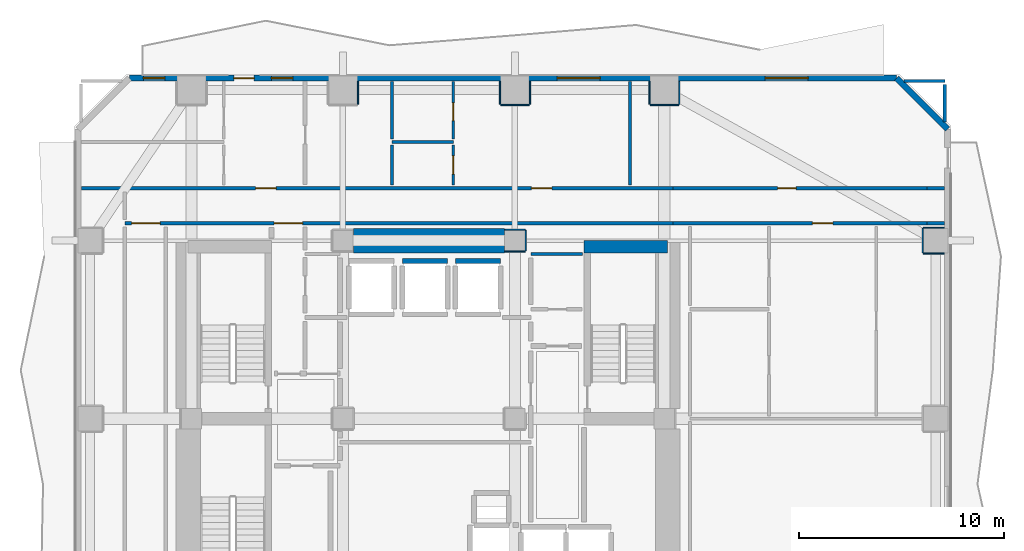
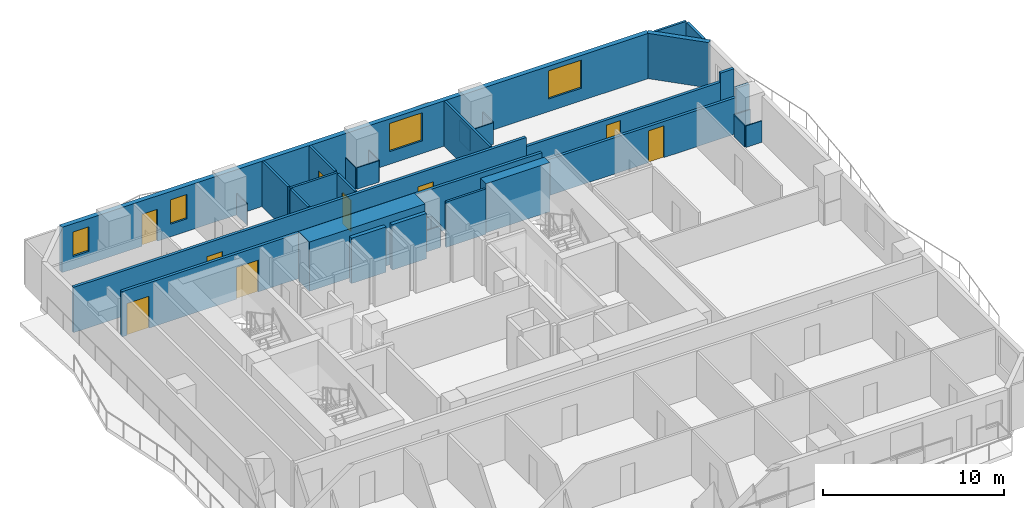
# One storey, part 6 of 10: 34 walls, 9 doors, 4 windows, 13 openings.
"""IFC4 building model written with IfcOpenShell, lengths in metres."""

from ifc_helpers import new_model, si_unit, direction, frame, frame_2d, origin, place, context, subcontext, project, spatial, rectangle, extrude, material, layer, layer_set, type_object, element, fill, save


model = new_model("IFC4")

# Units and contexts
model_context = context("Model", 3, precision=1e-05, world=origin(), true_north=direction((0.0, 1.0)))
body_context = subcontext(model_context, "Body", "Model", "MODEL_VIEW")
ifc_project = project(units=[si_unit("LENGTHUNIT", "METRE"), si_unit("AREAUNIT", "SQUARE_METRE"), si_unit("VOLUMEUNIT", "CUBIC_METRE"), si_unit("PLANEANGLEUNIT", "RADIAN"), si_unit("MASSUNIT", "GRAM", prefix="KILO")], contexts=[model_context])

# Site, building, storey
site_placement = place(None, origin())
site = spatial("IfcSite", under=ifc_project, at=site_placement, CompositionType="ELEMENT")
building_placement = place(site_placement, origin())
building = spatial("IfcBuilding", under=site, at=building_placement, Name="Solanera Arch Residences", CompositionType="ELEMENT")
storey_placement = place(building_placement, frame((0.0, 0.0, 51.8798828125)))
storey = spatial("IfcBuildingStorey", under=building, at=storey_placement, Name="L14", CompositionType="ELEMENT", Elevation=51.8798828125)

# Walls
ifc_material_1 = material(Name="Fire-Rated Gypsum Stud Partition", Category="gypsum")
ifc_layer_1 = layer(ifc_material_1, 0.06005859375)
ifc_layer_set_1 = layer_set([ifc_layer_1], Name="Fire-Rated Gypsum Stud Partition")
wall_type_1 = type_object("IfcWallType", Name="Column Acoustic Furring Wall 60", PredefinedType="PARTITIONING", material=ifc_layer_set_1)
for number, where, z_axis, x_axis, name in (
    (1, (28.7099609375, 38.867919921875, 0.0), (0.0, 0.0, 1.0), (1.0, 0.0, 0.0), "L14 Column Furring 4S"),
    (2, (28.7099609375, 39.931884765625, 0.0), (0.0, 0.0, 1.0), (1.0, 0.0, 0.0), "L14 Column Furring 4N"),
):
    element("IfcWall", number, at=place(storey_placement, frame(where, z_axis=z_axis, x_axis=x_axis)), inside=storey, type_object=wall_type_1, Name=name, PredefinedType="PARTITIONING", context=body_context, shape_type="SweptSolid", body=[
        extrude(rectangle(XDim=0.989990234375, YDim=0.06005859375, at=frame_2d((0.4951171875, 0.0))), origin(), (0.0, 0.0, 1.0), 1.4501953125),
    ])
wall_1_placement = place(storey_placement, frame((29.73193359375, 38.89990234375, 0.0), z_axis=(0.0, 0.0, 1.0), x_axis=(0.0, 1.0, 0.0)))
element("IfcWall", 3, at=wall_1_placement, inside=storey, type_object=wall_type_1, Name="L14 Column Furring 4E", PredefinedType="PARTITIONING", context=body_context, shape_type="SweptSolid", body=[
    extrude(rectangle(XDim=1.0, YDim=0.06005859375, at=frame_2d((0.5, 0.0))), origin(), (0.0, 0.0, 1.0), 1.4501953125),
])
wall_2_placement = place(storey_placement, frame((21.531982421875, 46.050048828125, 0.0), z_axis=(0.0, 0.0, 1.0), x_axis=(0.0, 1.0, 0.0)))
element("IfcWall", 4, at=wall_2_placement, inside=storey, type_object=wall_type_1, Name="L14 Column Furring 12E", PredefinedType="PARTITIONING", context=body_context, shape_type="SweptSolid", body=[
    extrude(rectangle(XDim=1.119873046875, YDim=0.06005859375, at=frame_2d((0.56005859375, 0.0))), origin(), (0.0, 0.0, 1.0), 1.4501953125),
])
wall_3_placement = place(storey_placement, frame((28.5, 46.01806640625, 0.0), z_axis=(0.0, 0.0, 1.0), x_axis=(1.0, 0.0, 0.0)))
element("IfcWall", 5, at=wall_3_placement, inside=storey, type_object=wall_type_1, Name="L14 Column Furring 14S", PredefinedType="PARTITIONING", context=body_context, shape_type="SweptSolid", body=[
    extrude(rectangle(XDim=1.39990234375, YDim=0.06005859375, at=frame_2d((0.699951171875, 0.0))), origin(), (0.0, 0.0, 1.0), 1.4501953125),
])
for number, where, z_axis, x_axis, name in (
    (6, (28.468017578125, 46.050048828125, 0.0), (0.0, 0.0, 1.0), (0.0, 1.0, 0.0), "L14 Column Furring 14W"),
    (7, (29.931884765625, 46.050048828125, 0.0), (0.0, 0.0, 1.0), (0.0, 1.0, 0.0), "L14 Column Furring 14E"),
):
    element("IfcWall", number, at=place(storey_placement, frame(where, z_axis=z_axis, x_axis=x_axis)), inside=storey, type_object=wall_type_1, Name=name, PredefinedType="PARTITIONING", context=body_context, shape_type="SweptSolid", body=[
        extrude(rectangle(XDim=1.119873046875, YDim=0.06005859375, at=frame_2d((0.56005859375, 0.0))), origin(), (0.0, 0.0, 1.0), 1.4501953125),
    ])
wall_4_placement = place(storey_placement, frame((35.800048828125, 46.01806640625, 0.0), z_axis=(0.0, 0.0, 1.0), x_axis=(1.0, 0.0, 0.0)))
element("IfcWall", 8, at=wall_4_placement, inside=storey, type_object=wall_type_1, Name="L14 Column Furring 16S", PredefinedType="PARTITIONING", context=body_context, shape_type="SweptSolid", body=[
    extrude(rectangle(XDim=1.39990234375, YDim=0.06005859375, at=frame_2d((0.699951171875, 0.0))), origin(), (0.0, 0.0, 1.0), 1.4501953125),
])
for number, where, z_axis, x_axis, name in (
    (9, (35.76806640625, 46.050048828125, 0.0), (0.0, 0.0, 1.0), (0.0, 1.0, 0.0), "L14 Column Furring 16W"),
    (10, (37.23193359375, 46.050048828125, 0.0), (0.0, 0.0, 1.0), (0.0, 1.0, 0.0), "L14 Column Furring 16E"),
):
    element("IfcWall", number, at=place(storey_placement, frame(where, z_axis=z_axis, x_axis=x_axis)), inside=storey, type_object=wall_type_1, Name=name, PredefinedType="PARTITIONING", context=body_context, shape_type="SweptSolid", body=[
        extrude(rectangle(XDim=1.119873046875, YDim=0.06005859375, at=frame_2d((0.56005859375, 0.0))), origin(), (0.0, 0.0, 1.0), 1.4501953125),
    ])
for number, where, z_axis, x_axis, name in (
    (11, (49.14990234375, 38.76806640625, 0.0), (0.0, 0.0, 1.0), (1.0, 0.0, 0.0), "L14 Column Furring 22S"),
    (12, (49.14990234375, 40.031982421875, 0.0), (0.0, 0.0, 1.0), (1.0, 0.0, 0.0), "L14 Column Furring 22N"),
):
    element("IfcWall", number, at=place(storey_placement, frame(where, z_axis=z_axis, x_axis=x_axis)), inside=storey, type_object=wall_type_1, Name=name, PredefinedType="PARTITIONING", context=body_context, shape_type="SweptSolid", body=[
        extrude(rectangle(XDim=1.02001953125, YDim=0.06005859375, at=frame_2d((0.510009765625, 0.0))), origin(), (0.0, 0.0, 1.0), 1.4501953125),
    ])
wall_5_placement = place(storey_placement, frame((49.117919921875, 38.800048828125, 0.0), z_axis=(0.0, 0.0, 1.0), x_axis=(0.0, 1.0, 0.0)))
element("IfcWall", 13, at=wall_5_placement, inside=storey, type_object=wall_type_1, Name="L14 Column Furring 22W", PredefinedType="PARTITIONING", context=body_context, shape_type="SweptSolid", body=[
    extrude(rectangle(XDim=1.199951171875, YDim=0.06005859375, at=frame_2d((0.60009765625, 0.0))), origin(), (0.0, 0.0, 1.0), 1.4501953125),
])
ifc_material_2 = material(Name="Concrete C55/67 (f'c = 60 MPa)", Category="concrete")
ifc_layer_2 = layer(ifc_material_2, 1.199951171875)
ifc_layer_set_2 = layer_set([ifc_layer_2], Name="Concrete C55/67 (f'c = 60 MPa)")
wall_type_2 = type_object("IfcWallType", Name="Core Shear Wall CW-1200", PredefinedType="SHEAR", material=ifc_layer_set_2)
wall_6_placement = place(storey_placement, frame((21.304931640625, 39.39990234375, 0.0), z_axis=(0.0, 0.0, 1.0), x_axis=(1.0, 0.0, 0.0)))
element("IfcWall", 14, at=wall_6_placement, inside=storey, type_object=wall_type_2, Name="L14 Central North Core Shear Wall", PredefinedType="SHEAR", context=body_context, shape_type="SweptSolid", body=[
    extrude(rectangle(XDim=7.39013671875, YDim=1.199951171875, at=frame_2d((3.695068359375, 0.0))), origin(), (0.0, 0.0, 1.0), 3.320068359375),
])
ifc_material_3 = material(Name="Concrete C40/50 (f'c = 45 MPa)", Category="concrete")
ifc_layer_3 = layer(ifc_material_3, 0.60009765625)
ifc_layer_set_3 = layer_set([ifc_layer_3], Name="Concrete C40/50 (f'c = 45 MPa)")
wall_type_3 = type_object("IfcWallType", Name="Core Shear Wall CW-600", PredefinedType="SHEAR", material=ifc_layer_set_3)
wall_7_placement = place(storey_placement, frame((32.580078125, 39.10009765625, 0.0), z_axis=(0.0, 0.0, 1.0), x_axis=(1.0, 0.0, 0.0)))
element("IfcWall", 15, at=wall_7_placement, inside=storey, type_object=wall_type_3, Name="L14 North-East Core Shear Wall", PredefinedType="SHEAR", context=body_context, shape_type="SweptSolid", body=[
    extrude(rectangle(XDim=4.079833984375, YDim=0.60009765625, at=frame_2d((2.0400390625, 0.0))), origin(), (0.0, 0.0, 1.0), 3.320068359375),
])

# Wall, openings, doors
ifc_material_4 = material(Name="Autoclaved Aerated Concrete Blockwork", Category="masonry")
ifc_layer_4 = layer(ifc_material_4, 0.179931640625)
ifc_layer_set_4 = layer_set([ifc_layer_4], Name="Autoclaved Aerated Concrete Blockwork")
wall_type_4 = type_object("IfcWallType", Name="Corridor Fire Partition 180", PredefinedType="PARTITIONING", material=ifc_layer_set_4)
wall_8_placement = place(storey_placement, frame((10.14990234375, 40.25, 0.0), z_axis=(0.0, 0.0, 1.0), x_axis=(1.0, 0.0, 0.0)))
wall_8 = element("IfcWall", 16, at=wall_8_placement, inside=storey, type_object=wall_type_4, Name="L14 Interior Partition H11 1", PredefinedType="PARTITIONING", context=body_context, shape_type="SweptSolid", body=[
    extrude(rectangle(XDim=26.781982421875, YDim=0.179931640625, at=frame_2d((13.39111328125, 0.0))), origin(), (0.0, 0.0, 1.0), 3.06005859375),
])
opening_1_placement = place(wall_8_placement, frame((7.284912109375, 0.0, 0.0)))
opening_1 = element("IfcOpeningElement", 17, at=opening_1_placement, cuts=wall_8, Name="Opening DF-03", PredefinedType="OPENING", context=body_context, shape_type="SweptSolid", body=[
    extrude(rectangle(XDim=1.39990234375, YDim=2.14990234375, at=frame_2d((0.699951171875, 1.074951171875))), frame((0.0, 0.10009765625, 0.0), z_axis=(0.0, -1.0, 0.0), x_axis=(1.0, 0.0, 0.0)), (0.0, 0.0, 1.0), 0.1999),
])
opening_2_placement = place(wall_8_placement, frame((0.323974609375, 0.0, 0.0)))
opening_2 = element("IfcOpeningElement", 18, at=opening_2_placement, cuts=wall_8, Name="Opening DF-03", PredefinedType="OPENING", context=body_context, shape_type="SweptSolid", body=[
    extrude(rectangle(XDim=1.39990234375, YDim=2.14990234375, at=frame_2d((0.699951171875, 1.074951171875))), frame((0.0, 0.10009765625, 0.0), z_axis=(0.0, -1.0, 0.0), x_axis=(1.0, 0.0, 0.0)), (0.0, 0.0, 1.0), 0.1999),
])
ifc_material_5 = material(Name="Fire-Rated Architectural Hardwood", Category="wood")
door_type_1 = type_object("IfcDoorType", Name="Corridor Smoke Door DF-03", OperationType="NOTDEFINED", PredefinedType="DOOR", material=ifc_material_5)
door_1_placement = place(opening_1_placement, origin())
door_1 = element("IfcDoor", 19, at=door_1_placement, inside=storey, type_object=door_type_1, Name="DR-L14-IN-009", OperationType="SINGLE_SWING_RIGHT", OverallHeight=2.14990234375, OverallWidth=1.39990234375, PredefinedType="DOOR", context=body_context, shape_type="SweptSolid", body=[
    extrude(rectangle(XDim=1.39990234375, YDim=2.14990234375, at=frame_2d((0.699951171875, 1.074951171875))), frame((0.0, 0.02490234375, 0.0), z_axis=(0.0, -1.0, 0.0), x_axis=(1.0, 0.0, 0.0)), (0.0, 0.0, 1.0), 0.050048828125),
])
fill(opening_1, door_1)
door_2_placement = place(opening_2_placement, origin())
door_2 = element("IfcDoor", 20, at=door_2_placement, inside=storey, type_object=door_type_1, Name="DR-L14-IN-011", OperationType="SINGLE_SWING_RIGHT", OverallHeight=2.14990234375, OverallWidth=1.39990234375, PredefinedType="DOOR", context=body_context, shape_type="SweptSolid", body=[
    extrude(rectangle(XDim=1.39990234375, YDim=2.14990234375, at=frame_2d((0.699951171875, 1.074951171875))), frame((0.0, 0.02490234375, 0.0), z_axis=(0.0, -1.0, 0.0), x_axis=(1.0, 0.0, 0.0)), (0.0, 0.0, 1.0), 0.050048828125),
])
fill(opening_2, door_2)

# Wall, opening, door
wall_9_placement = place(storey_placement, frame((36.931884765625, 40.25, 0.0), z_axis=(0.0, 0.0, 1.0), x_axis=(1.0, 0.0, 0.0)))
wall_9 = element("IfcWall", 21, at=wall_9_placement, inside=storey, type_object=wall_type_4, Name="L14 Interior Partition H11 2", PredefinedType="PARTITIONING", context=body_context, shape_type="SweptSolid", body=[
    extrude(rectangle(XDim=12.38623046875, YDim=0.179931640625, at=frame_2d((6.193115234375, 0.0))), origin(), (0.0, 0.0, 1.0), 2.445068359375),
])
opening_3_placement = place(wall_9_placement, frame((6.7919921875, 0.0, 0.0)))
opening_3 = element("IfcOpeningElement", 22, at=opening_3_placement, cuts=wall_9, Name="Opening DI-01", PredefinedType="OPENING", context=body_context, shape_type="SweptSolid", body=[
    extrude(rectangle(XDim=1.0, YDim=2.14990234375, at=frame_2d((0.5, 1.074951171875))), frame((0.0, 0.10009765625, 0.0), z_axis=(0.0, -1.0, 0.0), x_axis=(1.0, 0.0, 0.0)), (0.0, 0.0, 1.0), 0.1999),
])
ifc_material_6 = material(Name="Fire-Rated Architectural Hardwood", Category="wood")
door_type_2 = type_object("IfcDoorType", Name="Unit Entrance Fire Door DI-01", OperationType="NOTDEFINED", PredefinedType="DOOR", material=ifc_material_6)
door_3_placement = place(opening_3_placement, origin())
door_3 = element("IfcDoor", 23, at=door_3_placement, inside=storey, type_object=door_type_2, Name="DR-L14-IN-040", OperationType="SINGLE_SWING_LEFT", OverallHeight=2.14990234375, OverallWidth=1.0, PredefinedType="DOOR", context=body_context, shape_type="SweptSolid", body=[
    extrude(rectangle(XDim=1.0, YDim=2.14990234375, at=frame_2d((0.5, 1.074951171875))), frame((0.0, 0.02490234375, 0.0), z_axis=(0.0, -1.0, 0.0), x_axis=(1.0, 0.0, 0.0)), (0.0, 0.0, 1.0), 0.050048828125),
])
fill(opening_3, door_3)

# Wall
wall_10_placement = place(storey_placement, frame((49.318115234375, 40.25, 0.0), z_axis=(0.0, 0.0, 1.0), x_axis=(1.0, 0.0, 0.0)))
element("IfcWall", 24, at=wall_10_placement, inside=storey, type_object=wall_type_4, Name="L14 Interior Partition H11 3", PredefinedType="PARTITIONING", context=body_context, shape_type="SweptSolid", body=[
    extrude(rectangle(XDim=0.85498046875, YDim=0.179931640625, at=frame_2d((0.427490234375, 0.0))), origin(), (0.0, 0.0, 1.0), 3.06005859375),
])

# Wall, openings, doors
wall_11_placement = place(storey_placement, frame((8.027099609375, 41.949951171875, 0.0), z_axis=(0.0, 0.0, 1.0), x_axis=(1.0, 0.0, 0.0)))
wall_11 = element("IfcWall", 25, at=wall_11_placement, inside=storey, type_object=wall_type_4, Name="L14 Interior Partition H12 1", PredefinedType="PARTITIONING", context=body_context, shape_type="SweptSolid", body=[
    extrude(rectangle(XDim=28.90478515625, YDim=0.179931640625, at=frame_2d((14.452392578125, 0.0))), origin(), (0.0, 0.0, 1.0), 3.06005859375),
])
opening_4_placement = place(wall_11_placement, frame((8.507080078125, 0.0, 0.0)))
opening_4 = element("IfcOpeningElement", 26, at=opening_4_placement, cuts=wall_11, Name="Opening DI-01", PredefinedType="OPENING", context=body_context, shape_type="SweptSolid", body=[
    extrude(rectangle(XDim=1.0, YDim=2.14990234375, at=frame_2d((0.5, 1.074951171875))), frame((0.0, 0.10009765625, 0.0), z_axis=(0.0, -1.0, 0.0), x_axis=(1.0, 0.0, 0.0)), (0.0, 0.0, 1.0), 0.1999),
])
opening_5_placement = place(wall_11_placement, frame((21.97802734375, 0.0, 0.0)))
opening_5 = element("IfcOpeningElement", 27, at=opening_5_placement, cuts=wall_11, Name="Opening DI-01", PredefinedType="OPENING", context=body_context, shape_type="SweptSolid", body=[
    extrude(rectangle(XDim=1.0, YDim=2.14990234375, at=frame_2d((0.5, 1.074951171875))), frame((0.0, 0.10009765625, 0.0), z_axis=(0.0, -1.0, 0.0), x_axis=(1.0, 0.0, 0.0)), (0.0, 0.0, 1.0), 0.1999),
])
door_4_placement = place(opening_4_placement, origin())
door_4 = element("IfcDoor", 28, at=door_4_placement, inside=storey, type_object=door_type_2, Name="DR-L14-IN-031", OperationType="SINGLE_SWING_RIGHT", OverallHeight=2.14990234375, OverallWidth=1.0, PredefinedType="DOOR", context=body_context, shape_type="SweptSolid", body=[
    extrude(rectangle(XDim=1.0, YDim=2.14990234375, at=frame_2d((0.5, 1.074951171875))), frame((0.0, 0.02490234375, 0.0), z_axis=(0.0, -1.0, 0.0), x_axis=(1.0, 0.0, 0.0)), (0.0, 0.0, 1.0), 0.050048828125),
])
fill(opening_4, door_4)
door_5_placement = place(opening_5_placement, origin())
door_5 = element("IfcDoor", 29, at=door_5_placement, inside=storey, type_object=door_type_2, Name="DR-L14-IN-035", OperationType="SINGLE_SWING_RIGHT", OverallHeight=2.14990234375, OverallWidth=1.0, PredefinedType="DOOR", context=body_context, shape_type="SweptSolid", body=[
    extrude(rectangle(XDim=1.0, YDim=2.14990234375, at=frame_2d((0.5, 1.074951171875))), frame((0.0, 0.02490234375, 0.0), z_axis=(0.0, -1.0, 0.0), x_axis=(1.0, 0.0, 0.0)), (0.0, 0.0, 1.0), 0.050048828125),
])
fill(opening_5, door_5)

# Wall, opening, door
wall_12_placement = place(storey_placement, frame((36.931884765625, 41.949951171875, 0.0), z_axis=(0.0, 0.0, 1.0), x_axis=(1.0, 0.0, 0.0)))
wall_12 = element("IfcWall", 30, at=wall_12_placement, inside=storey, type_object=wall_type_4, Name="L14 Interior Partition H12 2", PredefinedType="PARTITIONING", context=body_context, shape_type="SweptSolid", body=[
    extrude(rectangle(XDim=12.38623046875, YDim=0.179931640625, at=frame_2d((6.193115234375, 0.0))), origin(), (0.0, 0.0, 1.0), 2.445068359375),
])
opening_6_placement = place(wall_12_placement, frame((5.10400390625, 0.0, 0.0)))
opening_6 = element("IfcOpeningElement", 31, at=opening_6_placement, cuts=wall_12, Name="Opening DI-02", PredefinedType="OPENING", context=body_context, shape_type="SweptSolid", body=[
    extrude(rectangle(XDim=0.89990234375, YDim=2.10009765625, at=frame_2d((0.449951171875, 1.050048828125))), frame((0.0, 0.10009765625, 0.0), z_axis=(0.0, -1.0, 0.0), x_axis=(1.0, 0.0, 0.0)), (0.0, 0.0, 1.0), 0.1999),
])
ifc_material_7 = material(Name="Fire-Rated Architectural Hardwood", Category="wood")
door_type_3 = type_object("IfcDoorType", Name="Suite Room Swing Door DI-02", OperationType="NOTDEFINED", PredefinedType="DOOR", material=ifc_material_7)
door_6_placement = place(opening_6_placement, origin())
door_6 = element("IfcDoor", 32, at=door_6_placement, inside=storey, type_object=door_type_3, Name="DR-L14-IN-038", OperationType="SINGLE_SWING_LEFT", OverallHeight=2.10009765625, OverallWidth=0.89990234375, PredefinedType="DOOR", context=body_context, shape_type="SweptSolid", body=[
    extrude(rectangle(XDim=0.89990234375, YDim=2.10009765625, at=frame_2d((0.449951171875, 1.050048828125))), frame((0.0, 0.02490234375, 0.0), z_axis=(0.0, -1.0, 0.0), x_axis=(1.0, 0.0, 0.0)), (0.0, 0.0, 1.0), 0.050048828125),
])
fill(opening_6, door_6)

# Walls
wall_13_placement = place(storey_placement, frame((49.318115234375, 41.949951171875, 0.0), z_axis=(0.0, 0.0, 1.0), x_axis=(1.0, 0.0, 0.0)))
element("IfcWall", 33, at=wall_13_placement, inside=storey, type_object=wall_type_4, Name="L14 Interior Partition H12 3", PredefinedType="PARTITIONING", context=body_context, shape_type="SweptSolid", body=[
    extrude(rectangle(XDim=0.85498046875, YDim=0.179931640625, at=frame_2d((0.427490234375, 0.0))), origin(), (0.0, 0.0, 1.0), 3.06005859375),
])
wall_14_placement = place(storey_placement, frame((50.199951171875, 45.198974609375, 0.0), z_axis=(0.0, 0.0, 1.0), x_axis=(0.0, 1.0, 0.0)))
element("IfcWall", 34, at=wall_14_placement, inside=storey, type_object=wall_type_4, Name="L14 Interior Partition V11 2", PredefinedType="PARTITIONING", context=body_context, shape_type="SweptSolid", body=[
    extrude(rectangle(XDim=1.8330078125, YDim=0.179931640625, at=frame_2d((0.91650390625, 0.0))), origin(), (0.0, 0.0, 1.0), 3.06005859375),
])

# Wall, openings, door, windows
ifc_material_8 = material(Name="Precast Concrete C35/45", Category="concrete")
ifc_layer_5 = layer(ifc_material_8, 0.300048828125)
ifc_layer_set_5 = layer_set([ifc_layer_5], Name="Precast Concrete C35/45")
wall_type_5 = type_object("IfcWallType", Name="Exterior Wall Precast Masonry-Frame 300", PredefinedType="STANDARD", material=ifc_layer_set_5)
wall_15_placement = place(storey_placement, frame((10.364990234375, 47.3349609375, 0.0), z_axis=(0.0, 0.0, 1.0), x_axis=(1.0, 0.0, 0.0)))
wall_15 = element("IfcWall", 35, at=wall_15_placement, inside=storey, type_object=wall_type_5, Name="L14 Tower Exterior Precast Masonry-Frame Wall N", PredefinedType="STANDARD", context=body_context, shape_type="SweptSolid", body=[
    extrude(rectangle(XDim=37.469970703125, YDim=0.300048828125, at=frame_2d((18.73486328125, 0.0))), origin(), (0.0, 0.0, 1.0), 3.06005859375),
])
opening_7_placement = place(wall_15_placement, frame((5.10302734375, 0.0, 0.0)))
opening_7 = element("IfcOpeningElement", 36, at=opening_7_placement, cuts=wall_15, Name="Opening DB-01", PredefinedType="OPENING", context=body_context, shape_type="SweptSolid", body=[
    extrude(rectangle(XDim=1.0, YDim=2.14990234375, at=frame_2d((0.5, 1.074951171875))), frame((0.0, 0.159912109375, 0.0), z_axis=(0.0, -1.0, 0.0), x_axis=(1.0, 0.0, 0.0)), (0.0, 0.0, 1.0), 0.32),
])
opening_8_placement = place(wall_15_placement, frame((6.93798828125, 0.0, 0.85009765625)))
opening_8 = element("IfcOpeningElement", 37, at=opening_8_placement, cuts=wall_15, Name="Opening W-07", PredefinedType="OPENING", context=body_context, shape_type="SweptSolid", body=[
    extrude(rectangle(XDim=1.050048828125, YDim=1.64990234375, at=frame_2d((0.52490234375, 0.824951171875))), frame((0.0, 0.159912109375, 0.0), z_axis=(0.0, -1.0, 0.0), x_axis=(1.0, 0.0, 0.0)), (0.0, 0.0, 1.0), 0.32),
])
opening_9_placement = place(wall_15_placement, frame((0.68701171875, 0.0, 0.85009765625)))
opening_9 = element("IfcOpeningElement", 38, at=opening_9_placement, cuts=wall_15, Name="Opening W-07", PredefinedType="OPENING", context=body_context, shape_type="SweptSolid", body=[
    extrude(rectangle(XDim=1.050048828125, YDim=1.64990234375, at=frame_2d((0.52490234375, 0.824951171875))), frame((0.0, 0.159912109375, 0.0), z_axis=(0.0, -1.0, 0.0), x_axis=(1.0, 0.0, 0.0)), (0.0, 0.0, 1.0), 0.32),
])
opening_10_placement = place(wall_15_placement, frame((20.89501953125, 0.0, 0.85009765625)))
opening_10 = element("IfcOpeningElement", 39, at=opening_10_placement, cuts=wall_15, Name="Opening W-04", PredefinedType="OPENING", context=body_context, shape_type="SweptSolid", body=[
    extrude(rectangle(XDim=2.10009765625, YDim=1.89990234375, at=frame_2d((1.050048828125, 0.949951171875))), frame((0.0, 0.159912109375, 0.0), z_axis=(0.0, -1.0, 0.0), x_axis=(1.0, 0.0, 0.0)), (0.0, 0.0, 1.0), 0.32),
])
opening_11_placement = place(wall_15_placement, frame((31.056884765625, 0.0, 0.85009765625)))
opening_11 = element("IfcOpeningElement", 40, at=opening_11_placement, cuts=wall_15, Name="Opening W-04", PredefinedType="OPENING", context=body_context, shape_type="SweptSolid", body=[
    extrude(rectangle(XDim=2.10009765625, YDim=1.89990234375, at=frame_2d((1.050048828125, 0.949951171875))), frame((0.0, 0.159912109375, 0.0), z_axis=(0.0, -1.0, 0.0), x_axis=(1.0, 0.0, 0.0)), (0.0, 0.0, 1.0), 0.32),
])
ifc_material_9 = material(Name="Anodised Aluminium Alloy 6063-T6", Category="aluminium")
door_type_4 = type_object("IfcDoorType", Name="Glazed Balcony Swing Door DB-01", OperationType="NOTDEFINED", PredefinedType="DOOR", material=ifc_material_9)
door_7_placement = place(opening_7_placement, origin())
door_7 = element("IfcDoor", 41, at=door_7_placement, inside=storey, type_object=door_type_4, Name="DR-L14-OUT-02", OperationType="SINGLE_SWING_LEFT", OverallHeight=2.14990234375, OverallWidth=1.0, PredefinedType="DOOR", context=body_context, shape_type="SweptSolid", body=[
    extrude(rectangle(XDim=1.0, YDim=2.14990234375, at=frame_2d((0.5, 1.074951171875))), frame((0.0, 0.02490234375, 0.0), z_axis=(0.0, -1.0, 0.0), x_axis=(1.0, 0.0, 0.0)), (0.0, 0.0, 1.0), 0.050048828125),
])
fill(opening_7, door_7)
ifc_material_10 = material(Name="Double Glazed Low-E Laminated Glass", Category="glass")
window_type_1 = type_object("IfcWindowType", Name="Punched Window W-04", PartitioningType="DOUBLE_PANEL_VERTICAL", PredefinedType="WINDOW", material=ifc_material_10)
window_1_placement = place(opening_10_placement, origin())
window_1 = element("IfcWindow", 42, at=window_1_placement, inside=storey, type_object=window_type_1, Name="L14 1405-LIV Punched Window", OverallHeight=1.89990234375, OverallWidth=2.10009765625, PartitioningType="SINGLE_PANEL", PredefinedType="WINDOW", context=body_context, shape_type="SweptSolid", body=[
    extrude(rectangle(XDim=2.10009765625, YDim=1.89990234375, at=frame_2d((1.050048828125, 0.949951171875))), frame((0.0, 0.030029296875, 0.0), z_axis=(0.0, -1.0, 0.0), x_axis=(1.0, 0.0, 0.0)), (0.0, 0.0, 1.0), 0.06005859375),
])
fill(opening_10, window_1)
window_2_placement = place(opening_11_placement, origin())
window_2 = element("IfcWindow", 43, at=window_2_placement, inside=storey, type_object=window_type_1, Name="L14 AMN-LOUN Punched Window", OverallHeight=1.89990234375, OverallWidth=2.10009765625, PartitioningType="SINGLE_PANEL", PredefinedType="WINDOW", context=body_context, shape_type="SweptSolid", body=[
    extrude(rectangle(XDim=2.10009765625, YDim=1.89990234375, at=frame_2d((1.050048828125, 0.949951171875))), frame((0.0, 0.030029296875, 0.0), z_axis=(0.0, -1.0, 0.0), x_axis=(1.0, 0.0, 0.0)), (0.0, 0.0, 1.0), 0.06005859375),
])
fill(opening_11, window_2)
ifc_material_11 = material(Name="Double Glazed Low-E Laminated Glass", Category="glass")
window_type_2 = type_object("IfcWindowType", Name="Punched Window W-07", PartitioningType="SINGLE_PANEL", PredefinedType="WINDOW", material=ifc_material_11)
window_3_placement = place(opening_8_placement, origin())
window_3 = element("IfcWindow", 44, at=window_3_placement, inside=storey, type_object=window_type_2, Name="L14 1404-LIV Punched Window", OverallHeight=1.64990234375, OverallWidth=1.050048828125, PartitioningType="SINGLE_PANEL", PredefinedType="WINDOW", context=body_context, shape_type="SweptSolid", body=[
    extrude(rectangle(XDim=1.050048828125, YDim=1.64990234375, at=frame_2d((0.52490234375, 0.824951171875))), frame((0.0, 0.030029296875, 0.0), z_axis=(0.0, -1.0, 0.0), x_axis=(1.0, 0.0, 0.0)), (0.0, 0.0, 1.0), 0.06005859375),
])
fill(opening_8, window_3)
window_4_placement = place(opening_9_placement, origin())
window_4 = element("IfcWindow", 45, at=window_4_placement, inside=storey, type_object=window_type_2, Name="L14 1404-BR1 Punched Window", OverallHeight=1.64990234375, OverallWidth=1.050048828125, PartitioningType="SINGLE_PANEL", PredefinedType="WINDOW", context=body_context, shape_type="SweptSolid", body=[
    extrude(rectangle(XDim=1.050048828125, YDim=1.64990234375, at=frame_2d((0.52490234375, 0.824951171875))), frame((0.0, 0.030029296875, 0.0), z_axis=(0.0, -1.0, 0.0), x_axis=(1.0, 0.0, 0.0)), (0.0, 0.0, 1.0), 0.06005859375),
])
fill(opening_9, window_4)

# Walls
wall_16_placement = place(storey_placement, frame((47.8349609375, 47.3349609375, 0.0), z_axis=(0.0, 0.0, 1.0), x_axis=(0.707106781187, -0.707106781187, 0.0)))
element("IfcWall", 46, at=wall_16_placement, inside=storey, type_object=wall_type_5, Name="L14 Tower Exterior Precast Masonry-Frame Wall CH3", PredefinedType="STANDARD", context=body_context, shape_type="SweptSolid", body=[
    extrude(rectangle(XDim=3.53564453125, YDim=0.300048828125, at=frame_2d((1.767822265625, 0.0))), origin(), (0.0, 0.0, 1.0), 3.06005859375),
])
ifc_material_12 = material(Name="Autoclaved Aerated Concrete Blockwork", Category="masonry")
ifc_layer_6 = layer(ifc_material_12, 0.239990234375)
ifc_layer_set_6 = layer_set([ifc_layer_6], Name="Autoclaved Aerated Concrete Blockwork")
wall_type_6 = type_object("IfcWallType", Name="Shaft Wall Fire-Rated 240", PredefinedType="PARTITIONING", material=ifc_layer_set_6)
for number, where, z_axis, x_axis, name in (
    (47, (23.699951171875, 38.39990234375, 0.0), (0.0, 0.0, 1.0), (1.0, 0.0, 0.0), "L14 Lift PL-L2 Hoistway Wall N"),
    (48, (26.300048828125, 38.39990234375, 0.0), (0.0, 0.0, 1.0), (1.0, 0.0, 0.0), "L14 Lift PL-L3 Hoistway Wall N"),
):
    element("IfcWall", number, at=place(storey_placement, frame(where, z_axis=z_axis, x_axis=x_axis)), inside=storey, type_object=wall_type_6, Name=name, PredefinedType="PARTITIONING", context=body_context, shape_type="SweptSolid", body=[
        extrude(rectangle(XDim=2.199951171875, YDim=0.239990234375, at=frame_2d((1.10009765625, 0.0))), origin(), (0.0, 0.0, 1.0), 3.06005859375),
    ])
ifc_material_13 = material(Name="Autoclaved Aerated Concrete Blockwork", Category="masonry")
ifc_layer_7 = layer(ifc_material_13, 0.139892578125)
ifc_layer_set_7 = layer_set([ifc_layer_7], Name="Autoclaved Aerated Concrete Blockwork")
wall_type_7 = type_object("IfcWallType", Name="Wet-Room Partition 140", PredefinedType="PARTITIONING", material=ifc_layer_set_7)
wall_17_placement = place(storey_placement, frame((29.97509765625, 38.75, 0.0), z_axis=(0.0, 0.0, 1.0), x_axis=(1.0, 0.0, 0.0)))
element("IfcWall", 49, at=wall_17_placement, inside=storey, type_object=wall_type_7, Name="L14 Interior Partition H16", PredefinedType="PARTITIONING", context=body_context, shape_type="SweptSolid", body=[
    extrude(rectangle(XDim=2.52490234375, YDim=0.139892578125, at=frame_2d((1.262451171875, 0.0))), origin(), (0.0, 0.0, 1.0), 3.06005859375),
])
wall_18_placement = place(storey_placement, frame((23.18994140625, 44.2080078125, 0.0), z_axis=(0.0, 0.0, 1.0), x_axis=(1.0, 0.0, 0.0)))
element("IfcWall", 50, at=wall_18_placement, inside=storey, type_object=wall_type_7, Name="L14 Interior Partition H18", PredefinedType="PARTITIONING", context=body_context, shape_type="SweptSolid", body=[
    extrude(rectangle(XDim=3.0, YDim=0.139892578125, at=frame_2d((1.5, 0.0))), origin(), (0.0, 0.0, 1.0), 3.06005859375),
])
wall_19_placement = place(storey_placement, frame((48.198974609375, 47.199951171875, 0.0), z_axis=(0.0, 0.0, 1.0), x_axis=(1.0, 0.0, 0.0)))
element("IfcWall", 51, at=wall_19_placement, inside=storey, type_object=wall_type_7, Name="L14 Interior Partition H19 2", PredefinedType="PARTITIONING", context=body_context, shape_type="SweptSolid", body=[
    extrude(rectangle(XDim=2.0009765625, YDim=0.139892578125, at=frame_2d((1.00048828125, 0.0))), origin(), (0.0, 0.0, 1.0), 3.06005859375),
])
wall_20_placement = place(storey_placement, frame((23.18994140625, 42.117919921875, 0.0), z_axis=(0.0, 0.0, 1.0), x_axis=(0.0, 1.0, 0.0)))
element("IfcWall", 52, at=wall_20_placement, inside=storey, type_object=wall_type_7, Name="L14 Interior Partition V17 1", PredefinedType="PARTITIONING", context=body_context, shape_type="SweptSolid", body=[
    extrude(rectangle(XDim=1.942138671875, YDim=0.139892578125, at=frame_2d((0.97119140625, 0.0))), origin(), (0.0, 0.0, 1.0), 3.06005859375),
])
wall_21_placement = place(storey_placement, frame((23.18994140625, 44.35595703125, 0.0), z_axis=(0.0, 0.0, 1.0), x_axis=(0.0, 1.0, 0.0)))
element("IfcWall", 53, at=wall_21_placement, inside=storey, type_object=wall_type_7, Name="L14 Interior Partition V17 2", PredefinedType="PARTITIONING", context=body_context, shape_type="SweptSolid", body=[
    extrude(rectangle(XDim=2.817138671875, YDim=0.139892578125, at=frame_2d((1.40869140625, 0.0))), origin(), (0.0, 0.0, 1.0), 3.06005859375),
])

# Wall, opening, door
wall_22_placement = place(storey_placement, frame((26.18994140625, 42.117919921875, 0.0), z_axis=(0.0, 0.0, 1.0), x_axis=(0.0, 1.0, 0.0)))
wall_22 = element("IfcWall", 54, at=wall_22_placement, inside=storey, type_object=wall_type_7, Name="L14 Interior Partition V18 1", PredefinedType="PARTITIONING", context=body_context, shape_type="SweptSolid", body=[
    extrude(rectangle(XDim=1.942138671875, YDim=0.139892578125, at=frame_2d((0.97119140625, 0.0))), origin(), (0.0, 0.0, 1.0), 3.06005859375),
])
opening_12_placement = place(wall_22_placement, frame((0.52392578125, 0.0, 0.0)))
opening_12 = element("IfcOpeningElement", 55, at=opening_12_placement, cuts=wall_22, Name="Opening DI-02", PredefinedType="OPENING", context=body_context, shape_type="SweptSolid", body=[
    extrude(rectangle(XDim=0.89990234375, YDim=2.10009765625, at=frame_2d((0.449951171875, 1.050048828125))), frame((0.0, 0.079833984375, 0.0), z_axis=(0.0, -1.0, 0.0), x_axis=(1.0, 0.0, 0.0)), (0.0, 0.0, 1.0), 0.1599),
])
door_8_placement = place(opening_12_placement, origin())
door_8 = element("IfcDoor", 56, at=door_8_placement, inside=storey, type_object=door_type_3, Name="DR-L14-IN-036", OperationType="SINGLE_SWING_LEFT", OverallHeight=2.10009765625, OverallWidth=0.89990234375, PredefinedType="DOOR", context=body_context, shape_type="SweptSolid", body=[
    extrude(rectangle(XDim=0.89990234375, YDim=2.10009765625, at=frame_2d((0.449951171875, 1.050048828125))), frame((0.0, 0.02490234375, 0.0), z_axis=(0.0, -1.0, 0.0), x_axis=(1.0, 0.0, 0.0)), (0.0, 0.0, 1.0), 0.050048828125),
])
fill(opening_12, door_8)

wall_23_placement = place(storey_placement, frame((26.18994140625, 44.35595703125, 0.0), z_axis=(0.0, 0.0, 1.0), x_axis=(0.0, 1.0, 0.0)))
wall_23 = element("IfcWall", 57, at=wall_23_placement, inside=storey, type_object=wall_type_7, Name="L14 Interior Partition V18 2", PredefinedType="PARTITIONING", context=body_context, shape_type="SweptSolid", body=[
    extrude(rectangle(XDim=2.817138671875, YDim=0.139892578125, at=frame_2d((1.40869140625, 0.0))), origin(), (0.0, 0.0, 1.0), 3.06005859375),
])
opening_13_placement = place(wall_23_placement, frame((0.905029296875, 0.0, 0.0)))
opening_13 = element("IfcOpeningElement", 58, at=opening_13_placement, cuts=wall_23, Name="Opening DI-05", PredefinedType="OPENING", context=body_context, shape_type="SweptSolid", body=[
    extrude(rectangle(XDim=0.860107421875, YDim=2.02001953125, at=frame_2d((0.43017578125, 1.010009765625))), frame((0.0, 0.079833984375, 0.0), z_axis=(0.0, -1.0, 0.0), x_axis=(1.0, 0.0, 0.0)), (0.0, 0.0, 1.0), 0.1599),
])
ifc_material_14 = material(Name="Fire-Rated Architectural Hardwood", Category="wood")
door_type_5 = type_object("IfcDoorType", Name="Bathroom Swing Door DI-05", OperationType="NOTDEFINED", PredefinedType="DOOR", material=ifc_material_14)
door_9_placement = place(opening_13_placement, origin())
door_9 = element("IfcDoor", 59, at=door_9_placement, inside=storey, type_object=door_type_5, Name="DR-L14-IN-037", OperationType="SINGLE_SWING_RIGHT", OverallHeight=2.02001953125, OverallWidth=0.860107421875, PredefinedType="DOOR", context=body_context, shape_type="SweptSolid", body=[
    extrude(rectangle(XDim=0.860107421875, YDim=2.02001953125, at=frame_2d((0.43017578125, 1.010009765625))), frame((0.0, 0.02490234375, 0.0), z_axis=(0.0, -1.0, 0.0), x_axis=(1.0, 0.0, 0.0)), (0.0, 0.0, 1.0), 0.050048828125),
])
fill(opening_13, door_9)

# Wall
wall_24_placement = place(storey_placement, frame((34.820068359375, 42.117919921875, 0.0), z_axis=(0.0, 0.0, 1.0), x_axis=(0.0, 1.0, 0.0)))
element("IfcWall", 60, at=wall_24_placement, inside=storey, type_object=wall_type_7, Name="L14 Interior Partition V20", PredefinedType="PARTITIONING", context=body_context, shape_type="SweptSolid", body=[
    extrude(rectangle(XDim=5.05517578125, YDim=0.139892578125, at=frame_2d((2.527587890625, 0.0))), origin(), (0.0, 0.0, 1.0), 3.06005859375),
])

save(model, "model.ifc")
